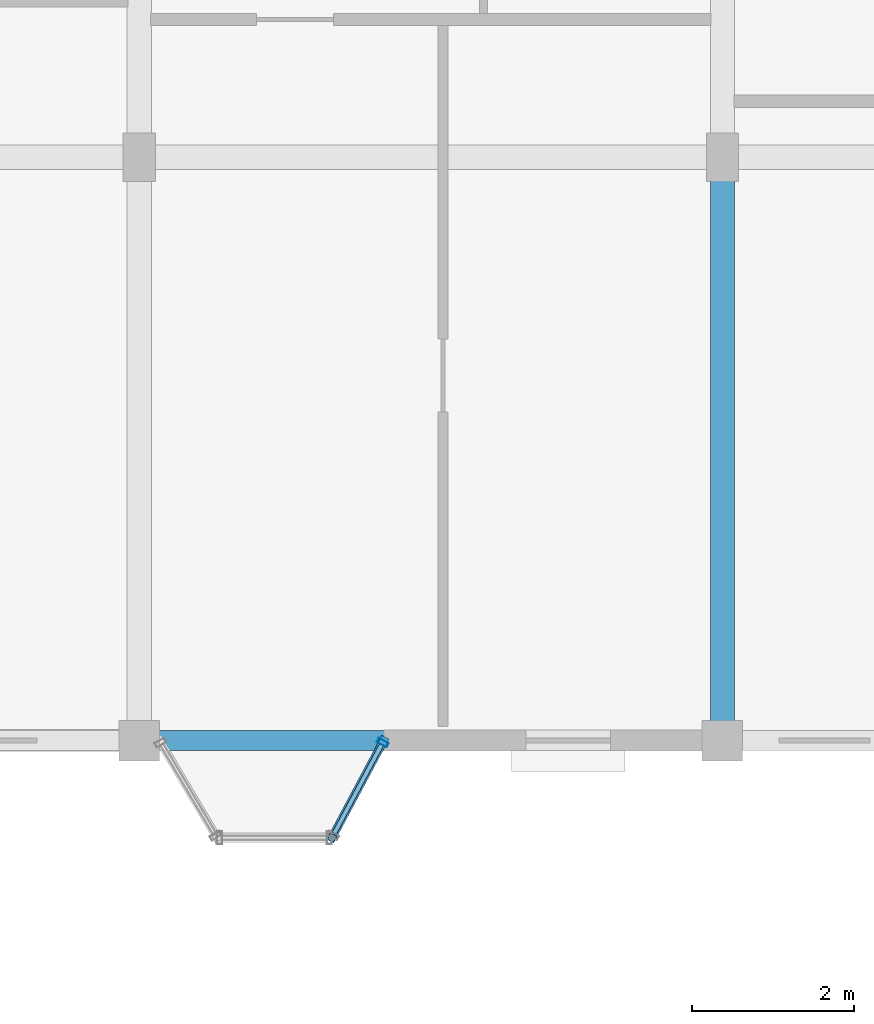
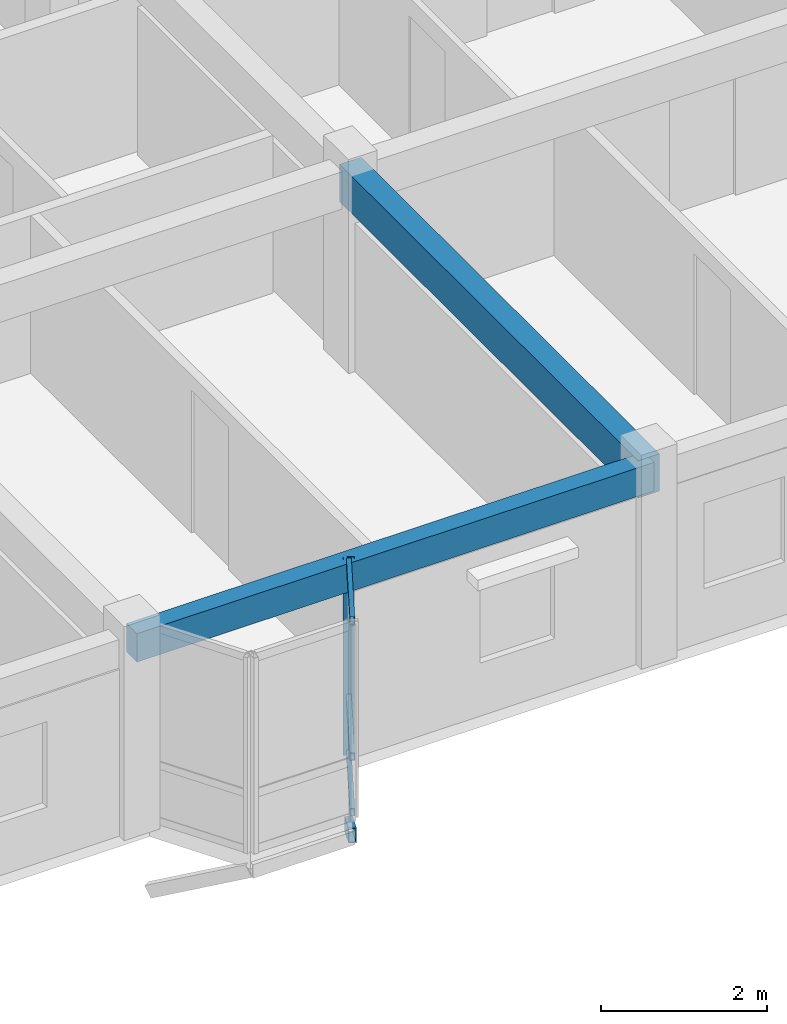
# One storey, part 34 of 65: 5 members, 2 beams, 1 element without a shape of its own.
"""IFC4 building model written with IfcOpenShell, lengths in metres."""

import ifcopenshell
import ifcopenshell.guid

model = None  # the IFC model being written
_history = None  # IfcOwnerHistory: only IFC2X3 demands one
_inside = {}  # id of a spatial element -> (the spatial element, [elements in it])
_under = {}  # id of a project, library or spatial element -> (it, [spatial elements below it])
_declared = {}  # id of a project -> (the project, [libraries it declares])
_typed = {}  # id of a type object -> (the type object, [elements of that type])
_made_of = {}  # id of a material, layer set ... -> (it, [elements and type objects made of it])


def new_model(schema):
    """Start an empty IFC model of exactly this schema.

    Asked for "IFC4X3", IfcOpenShell would pick the latest addendum, in which some entities
    have other attributes; the version numbers below select the first issue.
    IFC2X3 requires an IfcOwnerHistory on every rooted entity: one is made here for all.
    """
    global model, _history
    if schema == "IFC4X3":
        model = ifcopenshell.file(schema_version=(4, 3, 0, 0))
    else:
        model = ifcopenshell.file(schema=schema)
    _inside.clear()
    _under.clear()
    _declared.clear()
    _typed.clear()
    _made_of.clear()
    _history = None
    if model.schema == "IFC2X3":
        org = make("IfcOrganization", Name="unknown")
        user = make(
            "IfcPersonAndOrganization",
            ThePerson=make("IfcPerson", FamilyName="unknown"),
            TheOrganization=org,
        )
        app = make(
            "IfcApplication",
            ApplicationDeveloper=org,
            Version="unknown",
            ApplicationFullName="unknown",
            ApplicationIdentifier="unknown",
        )
        _history = make(
            "IfcOwnerHistory",
            OwningUser=user,
            OwningApplication=app,
            ChangeAction="ADDED",
            CreationDate=0,
        )
    return model


def make(cls, **values):
    """One entity of the class cls with the attributes given. An attribute that is None is left unset."""
    return model.create_entity(
        cls, **{name: value for name, value in values.items() if value is not None}
    )


def rooted(cls, **values):
    """An entity with a GlobalId (a new one), such as an element, a storey or a relation."""
    return make(cls, GlobalId=ifcopenshell.guid.new(), OwnerHistory=_history, **values)


def si_unit(unit_type, name, prefix=None):
    """IfcSIUnit, for example si_unit("LENGTHUNIT", "METRE", prefix="MILLI")."""
    return make("IfcSIUnit", UnitType=unit_type, Prefix=prefix, Name=name)


def assignment(units):
    """IfcUnitAssignment: the units of a project."""
    return None if units is None else make("IfcUnitAssignment", Units=units)


def point(xyz):
    """IfcCartesianPoint."""
    return None if xyz is None else make("IfcCartesianPoint", Coordinates=xyz)


def direction(xyz):
    """IfcDirection."""
    return None if xyz is None else make("IfcDirection", DirectionRatios=xyz)


def frame(location, z_axis=None, x_axis=None):
    """IfcAxis2Placement3D, a coordinate frame: its origin and axes. An axis left out is left unset."""
    return make(
        "IfcAxis2Placement3D",
        Location=point(location),
        Axis=direction(z_axis),
        RefDirection=direction(x_axis),
    )


def frame_2d(location, x_axis=None):
    """IfcAxis2Placement2D, a coordinate frame in the plane: its origin and x axis."""
    return make(
        "IfcAxis2Placement2D", Location=point(location), RefDirection=direction(x_axis)
    )


def origin():
    """The frame at (0, 0, 0) with its axes left unset."""
    return frame((0.0, 0.0, 0.0))


def origin_2d():
    """The frame at (0, 0) in the plane with its x axis left unset."""
    return frame_2d((0.0, 0.0))


def place(relative_to, where):
    """IfcLocalPlacement: puts the frame where relative to a parent placement (None: the world)."""
    return make(
        "IfcLocalPlacement", PlacementRelTo=relative_to, RelativePlacement=where
    )


def context(
    kind, dimensions, precision=None, world=None, true_north=None, identifier=None
):
    """IfcGeometricRepresentationContext, for example the 3D "Model" context."""
    return make(
        "IfcGeometricRepresentationContext",
        ContextIdentifier=identifier,
        ContextType=kind,
        CoordinateSpaceDimension=dimensions,
        Precision=precision,
        WorldCoordinateSystem=world,
        TrueNorth=true_north,
    )


def subcontext(parent, identifier, kind, view, scale=None):
    """IfcGeometricRepresentationSubContext, for example "Body" below "Model"."""
    return make(
        "IfcGeometricRepresentationSubContext",
        ContextIdentifier=identifier,
        ContextType=kind,
        ParentContext=parent,
        TargetScale=scale,
        TargetView=view,
    )


def project(units=None, contexts=None):
    """IfcProject with its units and contexts."""
    return rooted(
        "IfcProject",
        Name="project",
        RepresentationContexts=contexts,
        UnitsInContext=assignment(units),
    )


def spatial(cls, under=None, at=None, **own):
    """A site, building, storey or space (cls), placed at a placement, below another one or the project."""
    s = rooted(cls, ObjectPlacement=at, **own)
    if under is not None:
        _under.setdefault(under.id(), (under, []))[1].append(s)
    return s


def profile(cls, at=None, kind="AREA", **sizes):
    """A parametric profile (cls). Its sizes go by their IFC names, for example OverallWidth=200.0."""
    return make(cls, ProfileType=kind, Position=at, **sizes)


def rectangle(**sizes):
    """IfcRectangleProfileDef."""
    return profile("IfcRectangleProfileDef", **sizes)


def hollow_rectangle(**sizes):
    """IfcRectangleHollowProfileDef."""
    return profile("IfcRectangleHollowProfileDef", **sizes)


def extrude(swept, where, along, depth):
    """IfcExtrudedAreaSolid: the profile swept, set in the frame where, extruded along a direction by depth."""
    return make(
        "IfcExtrudedAreaSolid",
        SweptArea=swept,
        Position=where,
        ExtrudedDirection=direction(along),
        Depth=depth,
    )


def shape(context_of_items, identifier, shape_type, items):
    """IfcShapeRepresentation: the items that make up one representation, for example the "Body"."""
    return make(
        "IfcShapeRepresentation",
        ContextOfItems=context_of_items,
        RepresentationIdentifier=identifier,
        RepresentationType=shape_type,
        Items=items,
    )


def material(Name=None, Category=None):
    """IfcMaterial."""
    return make("IfcMaterial", Name=Name, Category=Category)


def layer(
    of_material, thickness, ventilated=None, Name=None, Category=None, Priority=None
):
    """IfcMaterialLayer: one layer of a wall or slab, of a material (None: an air gap)."""
    return make(
        "IfcMaterialLayer",
        Material=of_material,
        LayerThickness=thickness,
        IsVentilated=ventilated,
        Name=Name,
        Category=Category,
        Priority=Priority,
    )


def layer_set(layers, Name=None):
    """IfcMaterialLayerSet."""
    return make("IfcMaterialLayerSet", MaterialLayers=layers, LayerSetName=Name)


def material_profile(
    of_material, cross_section, Name=None, Category=None, Priority=None
):
    """IfcMaterialProfile: a cross section and its material."""
    return make(
        "IfcMaterialProfile",
        Name=Name,
        Material=of_material,
        Profile=cross_section,
        Priority=Priority,
        Category=Category,
    )


def profile_set(profiles, Name=None, composite=None):
    """IfcMaterialProfileSet."""
    return make(
        "IfcMaterialProfileSet",
        Name=Name,
        MaterialProfiles=profiles,
        CompositeProfile=composite,
    )


def made_of(thing, what):
    """Note that an element or type object is made of a material, layer set ...; save() writes the relation."""
    if what is not None:
        _made_of.setdefault(what.id(), (what, []))[1].append(thing)
    return thing


def type_object(cls, material=None, **own):
    """A type object (cls), such as IfcWallType, which elements share."""
    return made_of(rooted(cls, **own), material)


def element(
    cls,
    number,
    at=None,
    inside=None,
    cuts=None,
    type_object=None,
    material=None,
    context=None,
    identifier="Body",
    shape_type=None,
    held_by="IfcProductDefinitionShape",
    body=None,
    shapes=None,
    **own,
):
    """One element of the class cls, such as IfcWall. Its Tag is "e" and its number.

    at: its placement. inside: the storey or other place that contains it. cuts: it is an
    opening in that element (IfcRelVoidsElement). A single representation is given by context,
    identifier, shape_type and body (its items); several are given by shapes. held_by: the class
    of the entity that holds the representations. save() writes the other relations.
    """
    e = rooted(cls, Tag="e%d" % number, ObjectPlacement=at, **own)
    if body is not None:
        shapes = [shape(context, identifier, shape_type, body)]
    if shapes is not None:
        e.Representation = make(held_by, Representations=shapes)
    if inside is not None:
        _inside.setdefault(inside.id(), (inside, []))[1].append(e)
    if cuts is not None:
        rooted(
            "IfcRelVoidsElement", RelatingBuildingElement=cuts, RelatedOpeningElement=e
        )
    if type_object is not None:
        _typed.setdefault(type_object.id(), (type_object, []))[1].append(e)
    return made_of(e, material)


def aggregate(whole, parts):
    """IfcRelAggregates: a whole, such as a stair, and the parts it consists of."""
    return rooted("IfcRelAggregates", RelatingObject=whole, RelatedObjects=parts)


def save(model, path):
    """Write the relations noted so far, then the file.

    IfcRelAggregates (storeys below a building ...), IfcRelContainedInSpatialStructure (elements
    in a storey), IfcRelDefinesByType, IfcRelAssociatesMaterial and IfcRelDeclares: one each for
    every whole, place, type object, material and project.
    """
    for whole, parts in _under.values():
        aggregate(whole, parts)
    for where, things in _inside.values():
        rooted(
            "IfcRelContainedInSpatialStructure",
            RelatedElements=things,
            RelatingStructure=where,
        )
    for kind, things in _typed.values():
        rooted("IfcRelDefinesByType", RelatedObjects=things, RelatingType=kind)
    for what, things in _made_of.values():
        rooted("IfcRelAssociatesMaterial", RelatedObjects=things, RelatingMaterial=what)
    for by, libraries in _declared.values():
        rooted("IfcRelDeclares", RelatingContext=by, RelatedDefinitions=libraries)
    model.write(path)


model = new_model("IFC4")

# Units and contexts
model_context = context("Model", 3, precision=1e-05, world=origin(), true_north=direction((0.0, 1.0)))
body_context = subcontext(model_context, "Body", "Model", "MODEL_VIEW")
ifc_project = project(units=[si_unit("LENGTHUNIT", "METRE"), si_unit("AREAUNIT", "SQUARE_METRE"), si_unit("VOLUMEUNIT", "CUBIC_METRE"), si_unit("PLANEANGLEUNIT", "RADIAN"), si_unit("MASSUNIT", "GRAM", prefix="KILO"), si_unit("THERMODYNAMICTEMPERATUREUNIT", "KELVIN"), si_unit("POWERUNIT", "WATT")], contexts=[model_context])

# Site, building, storey
site_placement = place(None, origin())
site = spatial("IfcSite", under=ifc_project, at=site_placement, CompositionType="ELEMENT")
building_placement = place(site_placement, origin())
building = spatial("IfcBuilding", under=site, at=building_placement, Name="Tavuni Mirador Residences", CompositionType="ELEMENT")
storey_placement = place(building_placement, frame((0.0, 0.0, 29.699951171875)))
storey = spatial("IfcBuildingStorey", under=building, at=storey_placement, Name="L09", CompositionType="ELEMENT", Elevation=29.699951171875)

# Beams
ifc_material_1 = material(Name="Precast concrete C40/50", Category="concrete")
ifc_material_profile_1 = material_profile(ifc_material_1, rectangle(XDim=0.300048828125, YDim=0.550048828125, at=origin_2d()), Name="PC 300x550", Category="concrete")
ifc_profile_set_1 = profile_set([ifc_material_profile_1], Name="Precast concrete C40/50")
beam_type_1 = type_object("IfcBeamType", Name="BT-B550", PredefinedType="BEAM", material=ifc_profile_set_1)
beam_1_placement = place(storey_placement, frame((39.60009765625, 144.0, 2.610107421875), z_axis=(0.0, 1.0, 0.0), x_axis=(-1.0, 0.0, 0.0)))
element("IfcBeam", 1, at=beam_1_placement, inside=storey, type_object=beam_type_1, Name="BMY-BLK-C-L09-04-00", PredefinedType="BEAM", context=body_context, shape_type="SweptSolid", body=[
    extrude(rectangle(XDim=0.300048828125, YDim=0.550048828125, at=origin_2d()), origin(), (0.0, 0.0, 1.0), 7.199951171875),
])
ifc_material_profile_2 = material_profile(ifc_material_1, rectangle(XDim=0.25, YDim=0.419921875, at=origin_2d()), Name="PC 250x420", Category="concrete")
ifc_profile_set_2 = profile_set([ifc_material_profile_2], Name="Precast concrete C40/50")
beam_type_2 = type_object("IfcBeamType", Name="BT-SP420", PredefinedType="SPANDREL", material=ifc_profile_set_2)
beam_2_placement = place(storey_placement, frame((32.39990234375, 144.0, 2.675048828125), z_axis=(1.0, 0.0, 0.0), x_axis=(0.0, 1.0, 0.0)))
element("IfcBeam", 2, at=beam_2_placement, inside=storey, type_object=beam_type_2, Name="BMX-BLK-C-L09-03-00", PredefinedType="SPANDREL", context=body_context, shape_type="SweptSolid", body=[
    extrude(rectangle(XDim=0.25, YDim=0.419921875, at=origin_2d()), origin(), (0.0, 0.0, 1.0), 7.2001953125),
])

# Curtain wall, members
ifc_material_2 = material(Name="Anodised aluminium", Category="aluminium")
ifc_layer = layer(ifc_material_2, 0.175048828125, Name="Anodised aluminium", Category="aluminium")
ifc_layer_set = layer_set([ifc_layer], Name="Anodised aluminium")
curtain_wall_type = type_object("IfcCurtainWallType", Name="CWT-MIR-C", PredefinedType="NOTDEFINED", material=ifc_layer_set)
curtain_wall_placement = place(storey_placement, origin())
curtain_wall = element("IfcCurtainWall", 3, at=curtain_wall_placement, inside=storey, type_object=curtain_wall_type, Name="CW-MIR-C-S2-L09-M2", PredefinedType="NOTDEFINED")
ifc_material_profile_3 = material_profile(ifc_material_2, hollow_rectangle(XDim=0.06005859375, YDim=0.139892578125, WallThickness=0.00390625, at=origin_2d()), Name="ALU 60x140x4.0", Category="aluminium")
ifc_profile_set_3 = profile_set([ifc_material_profile_3], Name="Anodised aluminium")
member_type_1 = type_object("IfcMemberType", Name="CWM-140", PredefinedType="MULLION", material=ifc_profile_set_3)
member_1_placement = place(storey_placement, frame((35.40576171875, 143.9736328125, 0.0), z_axis=(0.0, 0.0, 1.0), x_axis=(0.470588235296, 0.882352941175, 0.0)))
member_1 = element("IfcMember", 4, at=member_1_placement, type_object=member_type_1, Name="CW-03 mullion 2", PredefinedType="MULLION", context=body_context, shape_type="SweptSolid", body=[
    extrude(hollow_rectangle(XDim=0.06005859375, YDim=0.139892578125, WallThickness=0.00390625, at=origin_2d()), origin(), (0.0, 0.0, 1.0), 2.885009765625),
])
ifc_material_profile_4 = material_profile(ifc_material_2, hollow_rectangle(XDim=0.06005859375, YDim=0.110107421875, WallThickness=0.00390625, at=origin_2d()), Name="ALU 60x110x4.0", Category="aluminium")
ifc_profile_set_4 = profile_set([ifc_material_profile_4], Name="Anodised aluminium")
member_type_2 = type_object("IfcMemberType", Name="CWT-110", PredefinedType="USERDEFINED", material=ifc_profile_set_4)
member_2_placement = place(storey_placement, frame((34.808349609375, 142.85302734375, 0.030029296875), z_axis=(0.470608675382, 0.882342039492, 0.0), x_axis=(-0.882342039492, 0.470608675382, 0.0)))
member_2 = element("IfcMember", 5, at=member_2_placement, type_object=member_type_2, Name="CW-03 transom 1.1", ObjectType="TRANSOM", PredefinedType="USERDEFINED", context=body_context, shape_type="SweptSolid", body=[
    extrude(hollow_rectangle(XDim=0.06005859375, YDim=0.110107421875, WallThickness=0.00390625, at=origin_2d()), origin(), (0.0, 0.0, 1.0), 1.239990234375),
])
member_3_placement = place(storey_placement, frame((34.808349609375, 142.85302734375, 0.85009765625), z_axis=(0.470608675382, 0.882342039492, 0.0), x_axis=(-0.882342039492, 0.470608675382, 0.0)))
member_3 = element("IfcMember", 6, at=member_3_placement, type_object=member_type_2, Name="CW-03 transom 1.2", ObjectType="TRANSOM", PredefinedType="USERDEFINED", context=body_context, shape_type="SweptSolid", body=[
    extrude(hollow_rectangle(XDim=0.06005859375, YDim=0.110107421875, WallThickness=0.00390625, at=origin_2d()), origin(), (0.0, 0.0, 1.0), 1.239990234375),
])
member_4_placement = place(storey_placement, frame((34.808349609375, 142.85302734375, 2.85498046875), z_axis=(0.470608675382, 0.882342039492, 0.0), x_axis=(-0.882342039492, 0.470608675382, 0.0)))
member_4 = element("IfcMember", 7, at=member_4_placement, type_object=member_type_2, Name="CW-03 transom 1.3", ObjectType="TRANSOM", PredefinedType="USERDEFINED", context=body_context, shape_type="SweptSolid", body=[
    extrude(hollow_rectangle(XDim=0.06005859375, YDim=0.110107421875, WallThickness=0.00390625, at=origin_2d()), origin(), (0.0, 0.0, 1.0), 1.239990234375),
])
aggregate(curtain_wall, [member_1, member_2, member_3, member_4])

# Member
ifc_material_3 = material(Name="Structural steel S355", Category="steel")
ifc_material_profile_5 = material_profile(ifc_material_3, hollow_rectangle(XDim=0.10009765625, YDim=0.179931640625, WallThickness=0.008056640625, at=origin_2d()), Name="RHS 180x100x8.0", Category="steel")
ifc_profile_set_5 = profile_set([ifc_material_profile_5], Name="Structural steel S355")
member_type_3 = type_object("IfcMemberType", Name="MT-BR-RHS180", PredefinedType="BRACE", material=ifc_profile_set_5)
member_5_placement = place(storey_placement, frame((35.419921875, 144.0, -1.050048828125), z_axis=(-0.407499208462, -0.764158187558, 0.500006659448), x_axis=(0.882377788047, -0.47054164445, 0.0)))
element("IfcMember", 8, at=member_5_placement, inside=storey, type_object=member_type_3, Name="MBRK-MIR-C-S2-L09-2", PredefinedType="BRACE", context=body_context, shape_type="SweptSolid", body=[
    extrude(hollow_rectangle(XDim=0.10009765625, YDim=0.179931640625, WallThickness=0.008056640625, at=origin_2d()), origin(), (0.0, 0.0, 1.0), 1.5703125),
])

save(model, "model.ifc")
